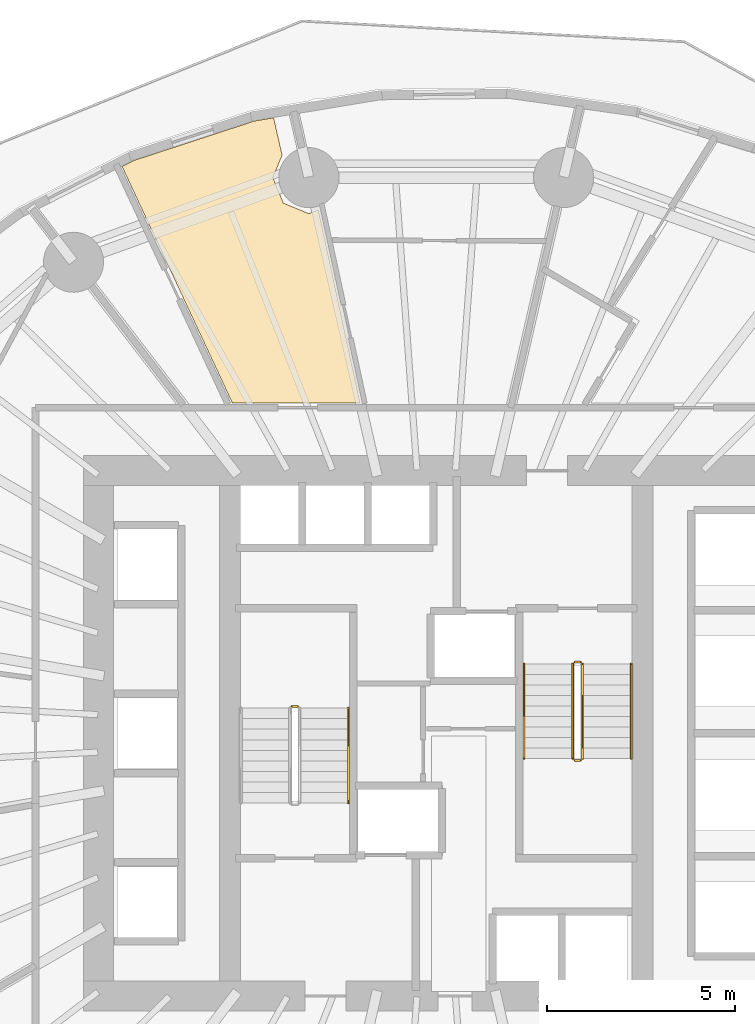
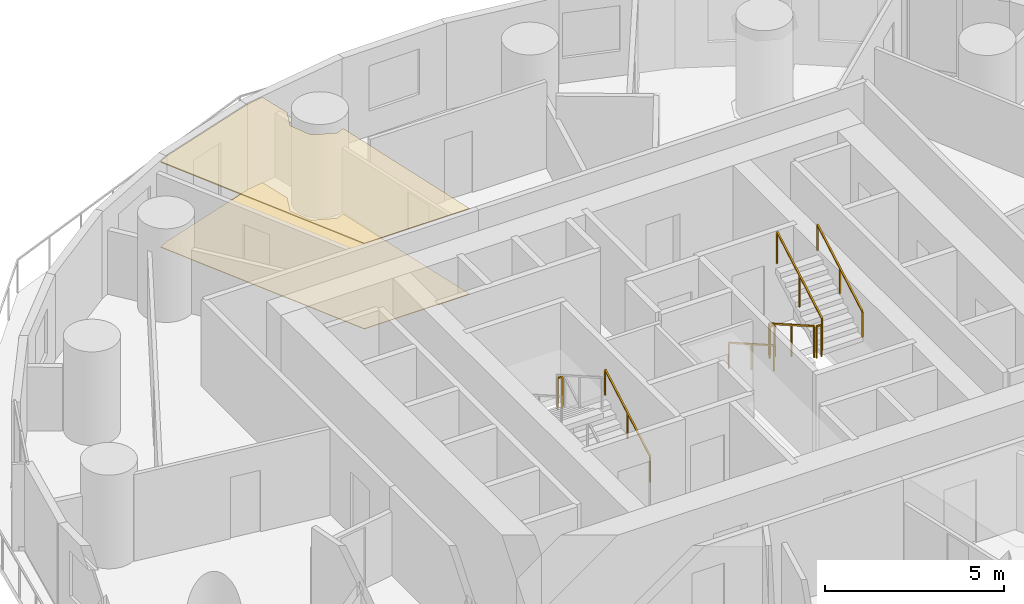
# One storey, part 13 of 14: 8 railings, 2 coverings.
"""IFC4 building model written with IfcOpenShell, lengths in metres."""

from ifc_helpers import new_model, si_unit, direction, frame, origin, origin_2d, place, context, subcontext, project, spatial, polyline, rectangle, outline, extrude, material, layer, layer_set, type_object, element, save


model = new_model("IFC4")

# Units and contexts
model_context = context("Model", 3, precision=1e-05, world=origin(), true_north=direction((0.0, 1.0)))
body_context = subcontext(model_context, "Body", "Model", "MODEL_VIEW")
ifc_project = project(units=[si_unit("LENGTHUNIT", "METRE"), si_unit("AREAUNIT", "SQUARE_METRE"), si_unit("VOLUMEUNIT", "CUBIC_METRE"), si_unit("PLANEANGLEUNIT", "RADIAN"), si_unit("MASSUNIT", "GRAM", prefix="KILO")], contexts=[model_context])

# Site, building, storey
site_placement = place(None, origin())
site = spatial("IfcSite", under=ifc_project, at=site_placement, CompositionType="ELEMENT")
building_placement = place(site_placement, origin())
building = spatial("IfcBuilding", under=site, at=building_placement, Name="Veldorim Arch Residences", CompositionType="ELEMENT")
storey_placement = place(building_placement, frame((0.0, 0.0, 28.0)))
storey = spatial("IfcBuildingStorey", under=building, at=storey_placement, Name="L07", CompositionType="ELEMENT", Elevation=28.0)

# Railings
ifc_material_1 = material(Name="Steel S355", Category="steel")
railing_type_1 = type_object("IfcRailingType", Name="Galvanised Steel Stair Safety Guardrail 1100", PredefinedType="GUARDRAIL", material=ifc_material_1)
railing_1_placement = place(storey_placement, frame((28.31005859375, 24.719970703125, 1.60009765625)))
element("IfcRailing", 1, at=railing_1_placement, inside=storey, type_object=railing_type_1, Name="L07 ST-1 stair guard 2", PredefinedType="GUARDRAIL", context=body_context, shape_type="SweptSolid", body=[
    extrude(rectangle(XDim=0.048095703125, YDim=0.048095703125, at=origin_2d()), frame((0.0, 0.0, 1.076171875), z_axis=(-1.0, 0.0, 0.0), x_axis=(0.0, -1.0, 0.0)), (0.0, 0.0, 1.0), 0.16015625),
    extrude(rectangle(XDim=0.0419921875, YDim=0.0419921875, at=origin_2d()), origin(), (0.0, 0.0, 1.0), 1.052001953125),
    extrude(rectangle(XDim=0.0419921875, YDim=0.0419921875, at=origin_2d()), frame((-0.16015625, 0.0, 0.0)), (0.0, 0.0, 1.0), 1.052001953125),
])
railing_2_placement = place(storey_placement, frame((35.639892578125, 25.85009765625, 0.159912109375)))
element("IfcRailing", 2, at=railing_2_placement, inside=storey, type_object=railing_type_1, Name="L07 ST-2 stair guard 1", PredefinedType="GUARDRAIL", context=body_context, shape_type="SweptSolid", body=[
    extrude(rectangle(XDim=0.048095703125, YDim=0.048095703125, at=origin_2d()), frame((0.0, 0.0, 1.076171875), z_axis=(0.0, -0.868217259934, 0.496184229447), x_axis=(1.0, 0.0, 0.0)), (0.0, 0.0, 1.0), 2.902587890625),
    extrude(rectangle(XDim=0.0419921875, YDim=0.0419921875, at=origin_2d()), origin(), (0.0, 0.0, 1.0), 1.052001953125),
    extrude(rectangle(XDim=0.0419921875, YDim=0.0419921875, at=origin_2d()), frame((0.0, -1.260009765625, 0.72021484375)), (0.0, 0.0, 1.0), 1.052001953125),
    extrude(rectangle(XDim=0.0419921875, YDim=0.0419921875, at=origin_2d()), frame((0.0, -2.52001953125, 1.440185546875)), (0.0, 0.0, 1.0), 1.052001953125),
])
railing_3_placement = place(storey_placement, frame((35.68994140625, 23.280029296875, 1.60009765625)))
element("IfcRailing", 3, at=railing_3_placement, inside=storey, type_object=railing_type_1, Name="L07 ST-2 stair guard 2", PredefinedType="GUARDRAIL", context=body_context, shape_type="SweptSolid", body=[
    extrude(rectangle(XDim=0.048095703125, YDim=0.048095703125, at=origin_2d()), frame((0.0, 0.0, 1.076171875), z_axis=(1.0, 0.0, 0.0), x_axis=(0.0, 1.0, 0.0)), (0.0, 0.0, 1.0), 0.16015625),
    extrude(rectangle(XDim=0.0419921875, YDim=0.0419921875, at=origin_2d()), origin(), (0.0, 0.0, 1.0), 1.052001953125),
    extrude(rectangle(XDim=0.0419921875, YDim=0.0419921875, at=origin_2d()), frame((0.16015625, 0.0, 0.0)), (0.0, 0.0, 1.0), 1.052001953125),
])
railing_4_placement = place(storey_placement, frame((35.89990234375, 23.330078125, 1.760009765625)))
element("IfcRailing", 4, at=railing_4_placement, inside=storey, type_object=railing_type_1, Name="L07 ST-2 stair guard 3", PredefinedType="GUARDRAIL", context=body_context, shape_type="SweptSolid", body=[
    extrude(rectangle(XDim=0.048095703125, YDim=0.048095703125, at=origin_2d()), frame((0.0, 0.0, 1.076171875), z_axis=(0.0, 0.868253494771, 0.496120820787), x_axis=(-1.0, 0.0, 0.0)), (0.0, 0.0, 1.0), 2.90234375),
    extrude(rectangle(XDim=0.0419921875, YDim=0.0419921875, at=origin_2d()), origin(), (0.0, 0.0, 1.0), 1.052001953125),
    extrude(rectangle(XDim=0.0419921875, YDim=0.0419921875, at=origin_2d()), frame((0.0, 1.260009765625, 0.719970703125)), (0.0, 0.0, 1.0), 1.052001953125),
    extrude(rectangle(XDim=0.0419921875, YDim=0.0419921875, at=origin_2d()), frame((0.0, 2.52001953125, 1.43994140625)), (0.0, 0.0, 1.0), 1.052001953125),
])
railing_5_placement = place(storey_placement, frame((35.68994140625, 25.89990234375, 0.0)))
element("IfcRailing", 5, at=railing_5_placement, inside=storey, type_object=railing_type_1, Name="L07 ST-2 stair guard 4", PredefinedType="GUARDRAIL", context=body_context, shape_type="SweptSolid", body=[
    extrude(rectangle(XDim=0.048095703125, YDim=0.048095703125, at=origin_2d()), frame((0.0, 0.0, 1.076171875), z_axis=(1.0, 0.0, 0.0), x_axis=(0.0, 1.0, 0.0)), (0.0, 0.0, 1.0), 0.16015625),
    extrude(rectangle(XDim=0.0419921875, YDim=0.0419921875, at=origin_2d()), origin(), (0.0, 0.0, 1.0), 1.052001953125),
    extrude(rectangle(XDim=0.0419921875, YDim=0.0419921875, at=origin_2d()), frame((0.16015625, 0.0, 0.0)), (0.0, 0.0, 1.0), 1.052001953125),
])

# Coverings
ifc_material_2 = material(Name="Acoustic Gypsum & Mineral Fibre", Category="gypsum")
ifc_layer_1 = layer(ifc_material_2, 0.034912109375, Name="Perforated Acoustic Mineral-Fibre Ceiling 35")
ifc_layer_set_1 = layer_set([ifc_layer_1], Name="Acoustic Gypsum & Mineral Fibre")
covering_type_1 = type_object("IfcCoveringType", Name="Perforated Acoustic Mineral-Fibre Ceiling 35", PredefinedType="CEILING", material=ifc_layer_set_1)
covering_1_placement = place(storey_placement, frame((0.0, 0.0, 2.905029296875)))
element("IfcCovering", 6, at=covering_1_placement, inside=storey, type_object=covering_type_1, Name="L07 acoustic suspended ceiling 06", PredefinedType="CEILING", context=body_context, shape_type="SweptSolid", body=[
    extrude(outline(polyline([(27.665771484375, 40.4033203125), (27.8935546875, 39.40869140625), (27.6455078125, 38.809814453125), (27.9267578125, 38.131103515625), (28.60546875, 37.85009765625), (28.85888671875, 37.955078125), (29.973876953125, 32.800048828125), (26.569091796875, 32.800048828125), (23.626953125, 39.107177734375), (23.9345703125, 39.2646484375), (27.14892578125, 40.31787109375), (27.665771484375, 40.4033203125)])), origin(), (0.0, 0.0, 1.0), 0.034912109375),
])
ifc_material_3 = material(Name="Porcelain Ceramic Tile", Category="ceramic")
ifc_layer_2 = layer(ifc_material_3, 0.02001953125, Name="Slip-Resistant Porcelain & Vinyl Floor Finish 20")
ifc_layer_set_2 = layer_set([ifc_layer_2], Name="Porcelain Ceramic Tile")
covering_type_2 = type_object("IfcCoveringType", Name="Slip-Resistant Porcelain & Vinyl Floor Finish 20", PredefinedType="FLOORING", material=ifc_layer_set_2)
covering_2_placement = place(storey_placement, origin())
element("IfcCovering", 7, at=covering_2_placement, inside=storey, type_object=covering_type_2, Name="L07 porcelain floor finish 06", PredefinedType="FLOORING", context=body_context, shape_type="SweptSolid", body=[
    extrude(outline(polyline([(27.665771484375, 40.4033203125), (27.8935546875, 39.40869140625), (27.6455078125, 38.809814453125), (27.9267578125, 38.131103515625), (28.60546875, 37.85009765625), (28.85888671875, 37.955078125), (29.973876953125, 32.800048828125), (26.569091796875, 32.800048828125), (23.626953125, 39.107177734375), (23.9345703125, 39.2646484375), (27.14892578125, 40.31787109375), (27.665771484375, 40.4033203125)])), origin(), (0.0, 0.0, 1.0), 0.02001953125),
])

# Railings
ifc_material_4 = material(Name="Stainless Steel", Category="steel")
railing_type_2 = type_object("IfcRailingType", Name="Tubular Steel Continuous Wall Handrail 900", PredefinedType="HANDRAIL", material=ifc_material_4)
railing_6_placement = place(storey_placement, frame((29.659912109375, 22.14990234375, 0.159912109375)))
element("IfcRailing", 8, at=railing_6_placement, inside=storey, type_object=railing_type_2, Name="L07 ST-1 stair handrail 1", PredefinedType="HANDRAIL", context=body_context, shape_type="SweptSolid", body=[
    extrude(rectangle(XDim=0.048095703125, YDim=0.048095703125, at=origin_2d()), frame((0.0, 0.0, 0.8759765625), z_axis=(0.0, 0.868217259934, 0.496184229447), x_axis=(-1.0, 0.0, 0.0)), (0.0, 0.0, 1.0), 2.902587890625),
    extrude(rectangle(XDim=0.0419921875, YDim=0.0419921875, at=origin_2d()), origin(), (0.0, 0.0, 1.0), 0.851806640625),
    extrude(rectangle(XDim=0.0419921875, YDim=0.0419921875, at=origin_2d()), frame((0.0, 1.260009765625, 0.72021484375)), (0.0, 0.0, 1.0), 0.851806640625),
    extrude(rectangle(XDim=0.0419921875, YDim=0.0419921875, at=origin_2d()), frame((0.0, 2.52001953125, 1.440185546875)), (0.0, 0.0, 1.0), 0.851806640625),
])
railing_7_placement = place(storey_placement, frame((34.340087890625, 25.85009765625, 0.159912109375)))
element("IfcRailing", 9, at=railing_7_placement, inside=storey, type_object=railing_type_2, Name="L07 ST-2 stair handrail 1", PredefinedType="HANDRAIL", context=body_context, shape_type="SweptSolid", body=[
    extrude(rectangle(XDim=0.048095703125, YDim=0.048095703125, at=origin_2d()), frame((0.0, 0.0, 0.8759765625), z_axis=(0.0, -0.868217259934, 0.496184229447), x_axis=(1.0, 0.0, 0.0)), (0.0, 0.0, 1.0), 2.902587890625),
    extrude(rectangle(XDim=0.0419921875, YDim=0.0419921875, at=origin_2d()), origin(), (0.0, 0.0, 1.0), 0.851806640625),
    extrude(rectangle(XDim=0.0419921875, YDim=0.0419921875, at=origin_2d()), frame((0.0, -1.260009765625, 0.72021484375)), (0.0, 0.0, 1.0), 0.851806640625),
    extrude(rectangle(XDim=0.0419921875, YDim=0.0419921875, at=origin_2d()), frame((0.0, -2.52001953125, 1.440185546875)), (0.0, 0.0, 1.0), 0.851806640625),
])
railing_8_placement = place(storey_placement, frame((37.199951171875, 23.330078125, 1.760009765625)))
element("IfcRailing", 10, at=railing_8_placement, inside=storey, type_object=railing_type_2, Name="L07 ST-2 stair handrail 2", PredefinedType="HANDRAIL", context=body_context, shape_type="SweptSolid", body=[
    extrude(rectangle(XDim=0.048095703125, YDim=0.048095703125, at=origin_2d()), frame((0.0, 0.0, 0.8759765625), z_axis=(0.0, 0.868253494771, 0.496120820787), x_axis=(-1.0, 0.0, 0.0)), (0.0, 0.0, 1.0), 2.90234375),
    extrude(rectangle(XDim=0.0419921875, YDim=0.0419921875, at=origin_2d()), origin(), (0.0, 0.0, 1.0), 0.851806640625),
    extrude(rectangle(XDim=0.0419921875, YDim=0.0419921875, at=origin_2d()), frame((0.0, 1.260009765625, 0.719970703125)), (0.0, 0.0, 1.0), 0.851806640625),
    extrude(rectangle(XDim=0.0419921875, YDim=0.0419921875, at=origin_2d()), frame((0.0, 2.52001953125, 1.43994140625)), (0.0, 0.0, 1.0), 0.851806640625),
])

save(model, "model.ifc")
